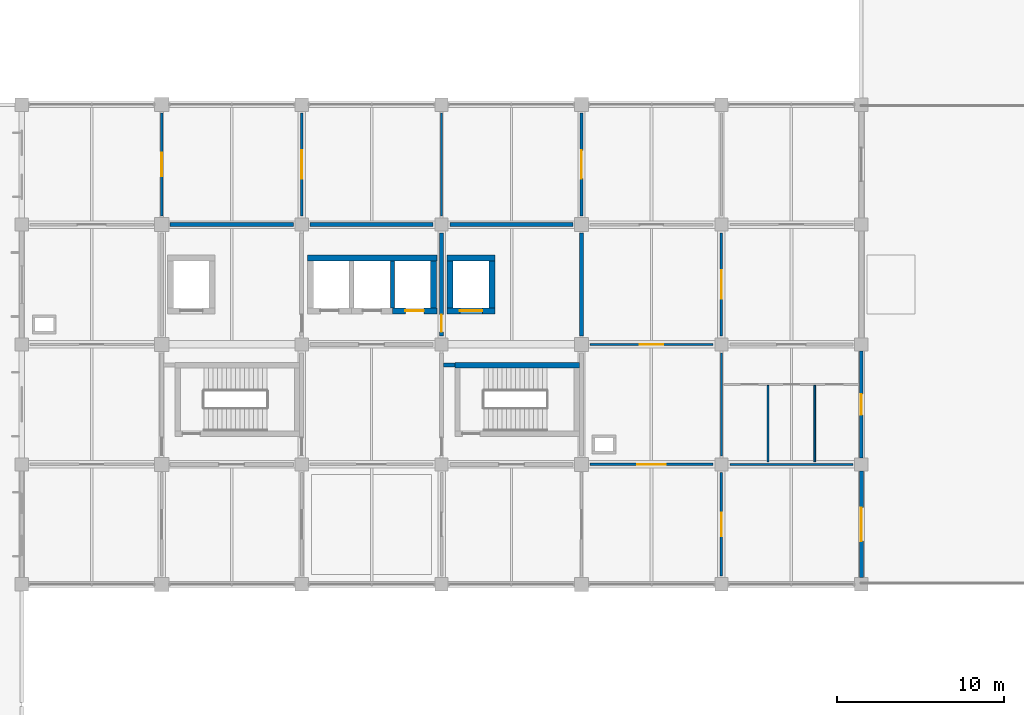
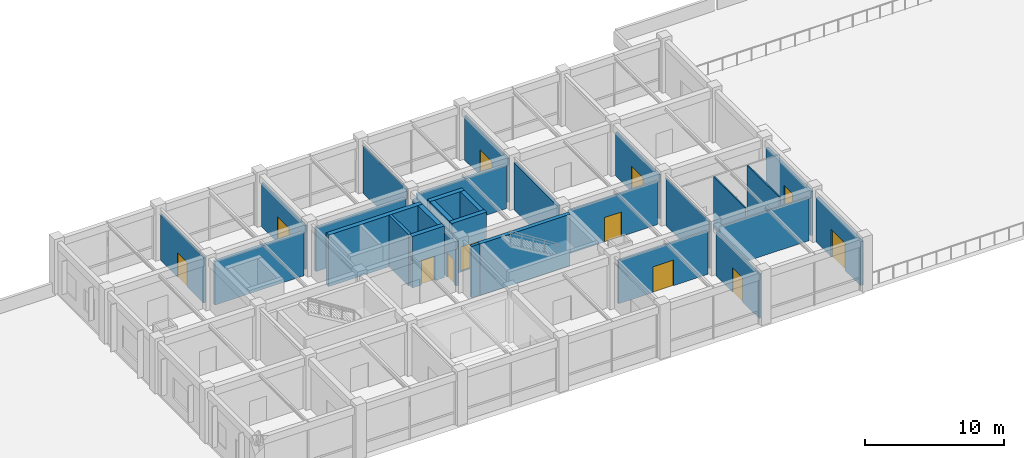
# One storey, part 40 of 45: 29 walls, 12 doors, 12 openings.
"""IFC4 building model written with IfcOpenShell, lengths in metres."""

from ifc_helpers import new_model, si_unit, derived_unit, direction, frame, frame_2d, origin, place, context, subcontext, project, spatial, rectangle, extrude, material, layer, layer_set, type_object, element, fill, save


model = new_model("IFC4")

# Units and contexts
model_context = context("Model", 3, precision=1e-05, world=origin(), true_north=direction((0.0, 1.0)))
body_context = subcontext(model_context, "Body", "Model", "MODEL_VIEW")
ifc_project = project(units=[si_unit("LENGTHUNIT", "METRE"), si_unit("AREAUNIT", "SQUARE_METRE"), si_unit("VOLUMEUNIT", "CUBIC_METRE"), si_unit("PLANEANGLEUNIT", "RADIAN"), si_unit("MASSUNIT", "GRAM", prefix="KILO"), derived_unit("THERMALTRANSMITTANCEUNIT", [(si_unit("MASSUNIT", "GRAM", prefix="KILO"), 1), (si_unit("TIMEUNIT", "SECOND"), -3), (si_unit("THERMODYNAMICTEMPERATUREUNIT", "KELVIN"), -1)])], contexts=[model_context])

# Site, building, storey
site_placement = place(None, origin())
site = spatial("IfcSite", under=ifc_project, at=site_placement, CompositionType="ELEMENT")
building_placement = place(site_placement, origin())
building = spatial("IfcBuilding", under=site, at=building_placement, Name="Veldstrom Oceanarium and Marine Research Institute", CompositionType="ELEMENT")
storey_placement = place(building_placement, frame((0.0, 0.0, 22.199951171875)))
storey = spatial("IfcBuildingStorey", under=building, at=storey_placement, Name="L04", CompositionType="ELEMENT", Elevation=22.199951171875)

# Wall, opening, door
ifc_material_1 = material(Name="Masonry Cavity Wall", Category="masonry")
ifc_layer_1 = layer(ifc_material_1, 0.25)
ifc_layer_set_1 = layer_set([ifc_layer_1], Name="ARC-WAL-EW5")
wall_type_1 = type_object("IfcWallType", Name="ARC-WAL-EW5", PredefinedType="SOLIDWALL", material=ifc_layer_set_1)
wall_1_placement = place(storey_placement, frame((117.60009765625, 43.60009765625, 0.0), z_axis=(0.0, 0.0, 1.0), x_axis=(0.0, 1.0, 0.0)))
wall_1 = element("IfcWall", 1, at=wall_1_placement, inside=storey, type_object=wall_type_1, Name="Exterior Facade Wall EW5 L04-172", PredefinedType="SOLIDWALL", context=body_context, shape_type="SweptSolid", body=[
    extrude(rectangle(XDim=6.39990234375, YDim=0.25, at=frame_2d((3.199951171875, 0.0))), origin(), (0.0, 0.0, 1.0), 3.864990234375),
])
opening_1_placement = place(wall_1_placement, frame((2.199951171875, 0.0, 0.0)))
opening_1 = element("IfcOpeningElement", 2, at=opening_1_placement, cuts=wall_1, Name="Opening D-L04-016", PredefinedType="OPENING", context=body_context, shape_type="SweptSolid", body=[
    extrude(rectangle(XDim=2.0, YDim=2.39990234375, at=frame_2d((1.0, 1.199951171875))), frame((0.0, 0.135009765625, 0.0), z_axis=(0.0, -1.0, 0.0), x_axis=(1.0, 0.0, 0.0)), (0.0, 0.0, 1.0), 0.27001953125),
])
ifc_material_2 = material(Name="Anodised Aluminium Glazed Door", Category="aluminium")
door_type_1 = type_object("IfcDoorType", Name="ARC-DOR-ED1", OperationType="DOUBLE_DOOR_SINGLE_SWING", PredefinedType="DOOR", material=ifc_material_2)
door_1_placement = place(opening_1_placement, frame((2.0, 0.0, 0.0), z_axis=(0.0, 0.0, 1.0), x_axis=(-1.0, 0.0, 0.0)))
door_1 = element("IfcDoor", 3, at=door_1_placement, inside=storey, type_object=door_type_1, Name="Terrace Access Door D-L04-016", OperationType="DOUBLE_DOOR_SINGLE_SWING", OverallHeight=2.39990234375, OverallWidth=2.0, PredefinedType="DOOR", context=body_context, shape_type="SweptSolid", body=[
    extrude(rectangle(XDim=2.0, YDim=2.39990234375, at=frame_2d((1.0, 1.199951171875))), frame((0.0, 0.02490234375, 0.0), z_axis=(0.0, -1.0, 0.0), x_axis=(1.0, 0.0, 0.0)), (0.0, 0.0, 1.0), 0.050048828125),
])
fill(opening_1, door_1)

ifc_material_3 = material(Name="Masonry Cavity Wall", Category="masonry")
ifc_layer_2 = layer(ifc_material_3, 0.215087890625)
ifc_layer_set_2 = layer_set([ifc_layer_2], Name="ARC-WAL-EW6")
wall_type_2 = type_object("IfcWallType", Name="ARC-WAL-EW6", PredefinedType="SOLIDWALL", material=ifc_layer_set_2)
wall_2_placement = place(storey_placement, frame((117.60009765625, 50.800048828125, 0.0), z_axis=(0.0, 0.0, 1.0), x_axis=(0.0, 1.0, 0.0)))
wall_2 = element("IfcWall", 4, at=wall_2_placement, inside=storey, type_object=wall_type_2, Name="Exterior Facade Wall EW6 L04-173", PredefinedType="SOLIDWALL", context=body_context, shape_type="SweptSolid", body=[
    extrude(rectangle(XDim=6.39990234375, YDim=0.215087890625, at=frame_2d((3.199951171875, 0.0))), origin(), (0.0, 0.0, 1.0), 3.864990234375),
])
opening_2_placement = place(wall_2_placement, frame((2.574951171875, 0.0, 0.0)))
opening_2 = element("IfcOpeningElement", 5, at=opening_2_placement, cuts=wall_2, Name="Opening D-L04-017", PredefinedType="OPENING", context=body_context, shape_type="SweptSolid", body=[
    extrude(rectangle(XDim=1.25, YDim=2.14990234375, at=frame_2d((0.625, 1.074951171875))), frame((0.0, 0.117431640625, 0.0), z_axis=(0.0, -1.0, 0.0), x_axis=(1.0, 0.0, 0.0)), (0.0, 0.0, 1.0), 0.235107421875),
])
ifc_material_4 = material(Name="Anodised Aluminium Terrace Door", Category="aluminium")
door_type_2 = type_object("IfcDoorType", Name="ARC-DOR-ED4", OperationType="SINGLE_SWING_LEFT", PredefinedType="DOOR", material=ifc_material_4)
door_2_placement = place(opening_2_placement, frame((1.25, 0.0, 0.0), z_axis=(0.0, 0.0, 1.0), x_axis=(-1.0, 0.0, 0.0)))
door_2 = element("IfcDoor", 6, at=door_2_placement, inside=storey, type_object=door_type_2, Name="Terrace Access Door D-L04-017", OperationType="SINGLE_SWING_RIGHT", OverallHeight=2.14990234375, OverallWidth=1.25, PredefinedType="DOOR", context=body_context, shape_type="SweptSolid", body=[
    extrude(rectangle(XDim=1.25, YDim=2.14990234375, at=frame_2d((0.625, 1.074951171875))), frame((0.0, 0.02490234375, 0.0), z_axis=(0.0, -1.0, 0.0), x_axis=(1.0, 0.0, 0.0)), (0.0, 0.0, 1.0), 0.050048828125),
])
fill(opening_2, door_2)

# Wall
ifc_material_5 = material(Name="Masonry Fire Compartment Wall", Category="masonry")
ifc_layer_3 = layer(ifc_material_5, 0.22998046875)
ifc_layer_set_3 = layer_set([ifc_layer_3], Name="ARC-WAL-PT1")
wall_type_3 = type_object("IfcWallType", Name="ARC-WAL-PT1", PredefinedType="PARTITIONING", material=ifc_layer_set_3)
wall_3_placement = place(storey_placement, frame((76.10009765625, 64.800048828125, 0.0), z_axis=(0.0, 0.0, 1.0), x_axis=(1.0, 0.0, 0.0)))
element("IfcWall", 7, at=wall_3_placement, inside=storey, type_object=wall_type_3, Name="Interior Partition PT1 L04-1412", PredefinedType="PARTITIONING", context=body_context, shape_type="SweptSolid", body=[
    extrude(rectangle(XDim=7.39990234375, YDim=0.22998046875, at=frame_2d((3.699951171875, 0.0))), origin(), (0.0, 0.0, 1.0), 3.81494140625),
])

# Wall, opening, door
wall_4_placement = place(storey_placement, frame((92.39990234375, 58.10009765625, 0.0), z_axis=(0.0, 0.0, 1.0), x_axis=(0.0, 1.0, 0.0)))
wall_4 = element("IfcWall", 8, at=wall_4_placement, inside=storey, type_object=wall_type_3, Name="Interior Partition PT1 L04-1418", PredefinedType="PARTITIONING", context=body_context, shape_type="SweptSolid", body=[
    extrude(rectangle(XDim=6.199951171875, YDim=0.22998046875, at=frame_2d((3.10009765625, 0.0))), origin(), (0.0, 0.0, 1.0), 3.864990234375),
])
opening_3_placement = place(wall_4_placement, frame((0.25, 0.0, 0.0)))
opening_3 = element("IfcOpeningElement", 9, at=opening_3_placement, cuts=wall_4, Name="Opening D-L04-841", PredefinedType="OPENING", context=body_context, shape_type="SweptSolid", body=[
    extrude(rectangle(XDim=1.050048828125, YDim=2.14990234375, at=frame_2d((0.52490234375, 1.074951171875))), frame((0.0, 0.125, 0.0), z_axis=(0.0, -1.0, 0.0), x_axis=(1.0, 0.0, 0.0)), (0.0, 0.0, 1.0), 0.25),
])
ifc_material_6 = material(Name="Painted Steel Fire Door", Category="steel")
door_type_3 = type_object("IfcDoorType", Name="ARC-DOR-SD1", OperationType="SINGLE_SWING_LEFT", PredefinedType="DOOR", material=ifc_material_6)
door_3_placement = place(opening_3_placement, frame((1.050048828125, 0.0, 0.0), z_axis=(0.0, 0.0, 1.0), x_axis=(-1.0, 0.0, 0.0)))
door_3 = element("IfcDoor", 10, at=door_3_placement, inside=storey, type_object=door_type_3, Name="Interior Door D-L04-841", OperationType="SINGLE_SWING_RIGHT", OverallHeight=2.14990234375, OverallWidth=1.050048828125, PredefinedType="DOOR", context=body_context, shape_type="SweptSolid", body=[
    extrude(rectangle(XDim=1.050048828125, YDim=2.14990234375, at=frame_2d((0.52490234375, 1.074951171875))), frame((0.0, 0.02490234375, 0.0), z_axis=(0.0, -1.0, 0.0), x_axis=(1.0, 0.0, 0.0)), (0.0, 0.0, 1.0), 0.050048828125),
])
fill(opening_3, door_3)

# Walls
wall_5_placement = place(storey_placement, frame((84.5, 64.800048828125, 0.0), z_axis=(0.0, 0.0, 1.0), x_axis=(1.0, 0.0, 0.0)))
element("IfcWall", 11, at=wall_5_placement, inside=storey, type_object=wall_type_3, Name="Interior Partition PT1 L04-1419", PredefinedType="PARTITIONING", context=body_context, shape_type="SweptSolid", body=[
    extrude(rectangle(XDim=7.39990234375, YDim=0.22998046875, at=frame_2d((3.699951171875, 0.0))), origin(), (0.0, 0.0, 1.0), 3.81494140625),
])
wall_6_placement = place(storey_placement, frame((92.52001953125, 56.360107421875, 0.0), z_axis=(0.0, 0.0, 1.0), x_axis=(1.0, 0.0, 0.0)))
element("IfcWall", 12, at=wall_6_placement, inside=storey, type_object=wall_type_3, Name="Interior Partition PT1 L04-1424", PredefinedType="PARTITIONING", context=body_context, shape_type="SweptSolid", body=[
    extrude(rectangle(XDim=0.679931640625, YDim=0.22998046875, at=frame_2d((0.33984375, 0.0))), origin(), (0.0, 0.0, 1.0), 4.52001953125),
])
wall_7_placement = place(storey_placement, frame((100.800048828125, 58.10009765625, 0.0), z_axis=(0.0, 0.0, 1.0), x_axis=(0.0, 1.0, 0.0)))
element("IfcWall", 13, at=wall_7_placement, inside=storey, type_object=wall_type_3, Name="Interior Partition PT1 L04-1425", PredefinedType="PARTITIONING", context=body_context, shape_type="SweptSolid", body=[
    extrude(rectangle(XDim=6.199951171875, YDim=0.22998046875, at=frame_2d((3.10009765625, 0.0))), origin(), (0.0, 0.0, 1.0), 4.114990234375),
])
wall_8_placement = place(storey_placement, frame((92.89990234375, 64.800048828125, 0.0), z_axis=(0.0, 0.0, 1.0), x_axis=(1.0, 0.0, 0.0)))
element("IfcWall", 14, at=wall_8_placement, inside=storey, type_object=wall_type_3, Name="Interior Partition PT1 L04-1426", PredefinedType="PARTITIONING", context=body_context, shape_type="SweptSolid", body=[
    extrude(rectangle(XDim=7.400146484375, YDim=0.22998046875, at=frame_2d((3.7001953125, 0.0))), origin(), (0.0, 0.0, 1.0), 3.81494140625),
])

# Wall, opening, door
ifc_material_7 = material(Name="Drywall Corridor Partition", Category="gypsum")
ifc_layer_4 = layer(ifc_material_7, 0.155029296875)
ifc_layer_set_4 = layer_set([ifc_layer_4], Name="ARC-WAL-PT4")
wall_type_4 = type_object("IfcWallType", Name="ARC-WAL-PT4", PredefinedType="PARTITIONING", material=ifc_layer_set_4)
wall_9_placement = place(storey_placement, frame((84.0, 65.300048828125, 0.0), z_axis=(0.0, 0.0, 1.0), x_axis=(0.0, 1.0, 0.0)))
wall_9 = element("IfcWall", 15, at=wall_9_placement, inside=storey, type_object=wall_type_4, Name="Interior Partition PT4 L04-1413", PredefinedType="PARTITIONING", context=body_context, shape_type="SweptSolid", body=[
    extrude(rectangle(XDim=6.199951171875, YDim=0.155029296875, at=frame_2d((3.10009765625, 0.0))), origin(), (0.0, 0.0, 1.0), 3.864990234375),
])
opening_4_placement = place(wall_9_placement, frame((2.25, 0.0, 0.0)))
opening_4 = element("IfcOpeningElement", 16, at=opening_4_placement, cuts=wall_9, Name="Opening D-L04-836", PredefinedType="OPENING", context=body_context, shape_type="SweptSolid", body=[
    extrude(rectangle(XDim=1.699951171875, YDim=2.25, at=frame_2d((0.85009765625, 1.125))), frame((0.0, 0.08740234375, 0.0), z_axis=(0.0, -1.0, 0.0), x_axis=(1.0, 0.0, 0.0)), (0.0, 0.0, 1.0), 0.175048828125),
])
ifc_material_8 = material(Name="Symposium Auditorium Door", Category="timber")
door_type_4 = type_object("IfcDoorType", Name="ARC-DOR-ID13", OperationType="DOUBLE_DOOR_SINGLE_SWING", PredefinedType="DOOR", material=ifc_material_8)
door_4_placement = place(opening_4_placement, frame((1.699951171875, 0.0, 0.0), z_axis=(0.0, 0.0, 1.0), x_axis=(-1.0, 0.0, 0.0)))
door_4 = element("IfcDoor", 17, at=door_4_placement, inside=storey, type_object=door_type_4, Name="Interior Door D-L04-836", OperationType="DOUBLE_DOOR_SINGLE_SWING", OverallHeight=2.25, OverallWidth=1.699951171875, PredefinedType="DOOR", context=body_context, shape_type="SweptSolid", body=[
    extrude(rectangle(XDim=1.699951171875, YDim=2.25, at=frame_2d((0.85009765625, 1.125))), frame((0.0, 0.02490234375, 0.0), z_axis=(0.0, -1.0, 0.0), x_axis=(1.0, 0.0, 0.0)), (0.0, 0.0, 1.0), 0.050048828125),
])
fill(opening_4, door_4)

wall_10_placement = place(storey_placement, frame((100.800048828125, 65.300048828125, 0.0), z_axis=(0.0, 0.0, 1.0), x_axis=(0.0, 1.0, 0.0)))
wall_10 = element("IfcWall", 18, at=wall_10_placement, inside=storey, type_object=wall_type_4, Name="Interior Partition PT4 L04-1427", PredefinedType="PARTITIONING", context=body_context, shape_type="SweptSolid", body=[
    extrude(rectangle(XDim=6.199951171875, YDim=0.155029296875, at=frame_2d((3.10009765625, 0.0))), origin(), (0.0, 0.0, 1.0), 3.864990234375),
])
opening_5_placement = place(wall_10_placement, frame((2.25, 0.0, 0.0)))
opening_5 = element("IfcOpeningElement", 19, at=opening_5_placement, cuts=wall_10, Name="Opening D-L04-844", PredefinedType="OPENING", context=body_context, shape_type="SweptSolid", body=[
    extrude(rectangle(XDim=1.699951171875, YDim=2.25, at=frame_2d((0.85009765625, 1.125))), frame((0.0, 0.08740234375, 0.0), z_axis=(0.0, -1.0, 0.0), x_axis=(1.0, 0.0, 0.0)), (0.0, 0.0, 1.0), 0.175048828125),
])
door_5_placement = place(opening_5_placement, frame((1.699951171875, 0.0, 0.0), z_axis=(0.0, 0.0, 1.0), x_axis=(-1.0, 0.0, 0.0)))
door_5 = element("IfcDoor", 20, at=door_5_placement, inside=storey, type_object=door_type_4, Name="Interior Door D-L04-844", OperationType="DOUBLE_DOOR_SINGLE_SWING", OverallHeight=2.25, OverallWidth=1.699951171875, PredefinedType="DOOR", context=body_context, shape_type="SweptSolid", body=[
    extrude(rectangle(XDim=1.699951171875, YDim=2.25, at=frame_2d((0.85009765625, 1.125))), frame((0.0, 0.02490234375, 0.0), z_axis=(0.0, -1.0, 0.0), x_axis=(1.0, 0.0, 0.0)), (0.0, 0.0, 1.0), 0.050048828125),
])
fill(opening_5, door_5)

wall_11_placement = place(storey_placement, frame((109.199951171875, 43.699951171875, 0.0), z_axis=(0.0, 0.0, 1.0), x_axis=(0.0, 1.0, 0.0)))
wall_11 = element("IfcWall", 21, at=wall_11_placement, inside=storey, type_object=wall_type_4, Name="Interior Partition PT4 L04-1428", PredefinedType="PARTITIONING", context=body_context, shape_type="SweptSolid", body=[
    extrude(rectangle(XDim=6.199951171875, YDim=0.155029296875, at=frame_2d((3.10009765625, 0.0))), origin(), (0.0, 0.0, 1.0), 3.864990234375),
])
opening_6_placement = place(wall_11_placement, frame((2.39990234375, 0.0, 0.0)))
opening_6 = element("IfcOpeningElement", 22, at=opening_6_placement, cuts=wall_11, Name="Opening D-L04-845", PredefinedType="OPENING", context=body_context, shape_type="SweptSolid", body=[
    extrude(rectangle(XDim=1.39990234375, YDim=2.14990234375, at=frame_2d((0.699951171875, 1.074951171875))), frame((0.0, 0.08740234375, 0.0), z_axis=(0.0, -1.0, 0.0), x_axis=(1.0, 0.0, 0.0)), (0.0, 0.0, 1.0), 0.175048828125),
])
ifc_material_9 = material(Name="Education Classroom Door", Category="timber")
door_type_5 = type_object("IfcDoorType", Name="ARC-DOR-ID04", OperationType="DOUBLE_DOOR_SINGLE_SWING", PredefinedType="DOOR", material=ifc_material_9)
door_6_placement = place(opening_6_placement, frame((1.39990234375, 0.0, 0.0), z_axis=(0.0, 0.0, 1.0), x_axis=(-1.0, 0.0, 0.0)))
door_6 = element("IfcDoor", 23, at=door_6_placement, inside=storey, type_object=door_type_5, Name="Interior Door D-L04-845", OperationType="DOUBLE_DOOR_SINGLE_SWING", OverallHeight=2.14990234375, OverallWidth=1.39990234375, PredefinedType="DOOR", context=body_context, shape_type="SweptSolid", body=[
    extrude(rectangle(XDim=1.39990234375, YDim=2.14990234375, at=frame_2d((0.699951171875, 1.074951171875))), frame((0.0, 0.02490234375, 0.0), z_axis=(0.0, -1.0, 0.0), x_axis=(1.0, 0.0, 0.0)), (0.0, 0.0, 1.0), 0.050048828125),
])
fill(opening_6, door_6)

wall_12_placement = place(storey_placement, frame((101.300048828125, 50.39990234375, 0.0), z_axis=(0.0, 0.0, 1.0), x_axis=(1.0, 0.0, 0.0)))
wall_12 = element("IfcWall", 24, at=wall_12_placement, inside=storey, type_object=wall_type_4, Name="Interior Partition PT4 L04-1429", PredefinedType="PARTITIONING", context=body_context, shape_type="SweptSolid", body=[
    extrude(rectangle(XDim=7.39990234375, YDim=0.155029296875, at=frame_2d((3.699951171875, 0.0))), origin(), (0.0, 0.0, 1.0), 3.81494140625),
])
opening_7_placement = place(wall_12_placement, frame((2.85009765625, 0.0, 0.0)))
opening_7 = element("IfcOpeningElement", 25, at=opening_7_placement, cuts=wall_12, Name="Opening D-L04-846", PredefinedType="OPENING", context=body_context, shape_type="SweptSolid", body=[
    extrude(rectangle(XDim=1.699951171875, YDim=2.25, at=frame_2d((0.85009765625, 1.125))), frame((0.0, 0.08740234375, 0.0), z_axis=(0.0, -1.0, 0.0), x_axis=(1.0, 0.0, 0.0)), (0.0, 0.0, 1.0), 0.175048828125),
])
door_7_placement = place(opening_7_placement, origin())
door_7 = element("IfcDoor", 26, at=door_7_placement, inside=storey, type_object=door_type_4, Name="Interior Door D-L04-846", OperationType="DOUBLE_DOOR_SINGLE_SWING", OverallHeight=2.25, OverallWidth=1.699951171875, PredefinedType="DOOR", context=body_context, shape_type="SweptSolid", body=[
    extrude(rectangle(XDim=1.699951171875, YDim=2.25, at=frame_2d((0.85009765625, 1.125))), frame((0.0, 0.02490234375, 0.0), z_axis=(0.0, -1.0, 0.0), x_axis=(1.0, 0.0, 0.0)), (0.0, 0.0, 1.0), 0.050048828125),
])
fill(opening_7, door_7)

wall_13_placement = place(storey_placement, frame((109.199951171875, 58.10009765625, 0.0), z_axis=(0.0, 0.0, 1.0), x_axis=(0.0, 1.0, 0.0)))
wall_13 = element("IfcWall", 27, at=wall_13_placement, inside=storey, type_object=wall_type_4, Name="Interior Partition PT4 L04-1432", PredefinedType="PARTITIONING", context=body_context, shape_type="SweptSolid", body=[
    extrude(rectangle(XDim=6.199951171875, YDim=0.155029296875, at=frame_2d((3.10009765625, 0.0))), origin(), (0.0, 0.0, 1.0), 3.864990234375),
])
opening_8_placement = place(wall_13_placement, frame((2.25, 0.0, 0.0)))
opening_8 = element("IfcOpeningElement", 28, at=opening_8_placement, cuts=wall_13, Name="Opening D-L04-848", PredefinedType="OPENING", context=body_context, shape_type="SweptSolid", body=[
    extrude(rectangle(XDim=1.699951171875, YDim=2.25, at=frame_2d((0.85009765625, 1.125))), frame((0.0, 0.08740234375, 0.0), z_axis=(0.0, -1.0, 0.0), x_axis=(1.0, 0.0, 0.0)), (0.0, 0.0, 1.0), 0.175048828125),
])
door_8_placement = place(opening_8_placement, frame((1.699951171875, 0.0, 0.0), z_axis=(0.0, 0.0, 1.0), x_axis=(-1.0, 0.0, 0.0)))
door_8 = element("IfcDoor", 29, at=door_8_placement, inside=storey, type_object=door_type_4, Name="Interior Door D-L04-848", OperationType="DOUBLE_DOOR_SINGLE_SWING", OverallHeight=2.25, OverallWidth=1.699951171875, PredefinedType="DOOR", context=body_context, shape_type="SweptSolid", body=[
    extrude(rectangle(XDim=1.699951171875, YDim=2.25, at=frame_2d((0.85009765625, 1.125))), frame((0.0, 0.02490234375, 0.0), z_axis=(0.0, -1.0, 0.0), x_axis=(1.0, 0.0, 0.0)), (0.0, 0.0, 1.0), 0.050048828125),
])
fill(opening_8, door_8)

ifc_material_10 = material(Name="Moisture-Resistant Wet-Area Partition", Category="masonry")
ifc_layer_5 = layer(ifc_material_10, 0.139892578125)
ifc_layer_set_5 = layer_set([ifc_layer_5], Name="ARC-WAL-PT5")
wall_type_5 = type_object("IfcWallType", Name="ARC-WAL-PT5", PredefinedType="PARTITIONING", material=ifc_layer_set_5)
wall_14_placement = place(storey_placement, frame((75.60009765625, 65.300048828125, 0.0), z_axis=(0.0, 0.0, 1.0), x_axis=(0.0, 1.0, 0.0)))
wall_14 = element("IfcWall", 30, at=wall_14_placement, inside=storey, type_object=wall_type_5, Name="Interior Partition PT5 L04-1406", PredefinedType="PARTITIONING", context=body_context, shape_type="SweptSolid", body=[
    extrude(rectangle(XDim=6.199951171875, YDim=0.139892578125, at=frame_2d((3.10009765625, 0.0))), origin(), (0.0, 0.0, 1.0), 4.01513671875),
])
opening_9_placement = place(wall_14_placement, frame((2.39990234375, 0.0, 0.0)))
opening_9 = element("IfcOpeningElement", 31, at=opening_9_placement, cuts=wall_14, Name="Opening D-L04-831", PredefinedType="OPENING", context=body_context, shape_type="SweptSolid", body=[
    extrude(rectangle(XDim=1.39990234375, YDim=2.14990234375, at=frame_2d((0.699951171875, 1.074951171875))), frame((0.0, 0.079833984375, 0.0), z_axis=(0.0, -1.0, 0.0), x_axis=(1.0, 0.0, 0.0)), (0.0, 0.0, 1.0), 0.159912109375),
])
door_9_placement = place(opening_9_placement, origin())
door_9 = element("IfcDoor", 32, at=door_9_placement, inside=storey, type_object=door_type_5, Name="Interior Door D-L04-831", OperationType="DOUBLE_DOOR_SINGLE_SWING", OverallHeight=2.14990234375, OverallWidth=1.39990234375, PredefinedType="DOOR", context=body_context, shape_type="SweptSolid", body=[
    extrude(rectangle(XDim=1.39990234375, YDim=2.14990234375, at=frame_2d((0.699951171875, 1.074951171875))), frame((0.0, 0.02490234375, 0.0), z_axis=(0.0, -1.0, 0.0), x_axis=(1.0, 0.0, 0.0)), (0.0, 0.0, 1.0), 0.050048828125),
])
fill(opening_9, door_9)

wall_15_placement = place(storey_placement, frame((101.300048828125, 57.60009765625, 0.0), z_axis=(0.0, 0.0, 1.0), x_axis=(1.0, 0.0, 0.0)))
wall_15 = element("IfcWall", 33, at=wall_15_placement, inside=storey, type_object=wall_type_5, Name="Interior Partition PT5 L04-1431", PredefinedType="PARTITIONING", context=body_context, shape_type="SweptSolid", body=[
    extrude(rectangle(XDim=7.39990234375, YDim=0.139892578125, at=frame_2d((3.699951171875, 0.0))), origin(), (0.0, 0.0, 1.0), 3.81494140625),
])
opening_10_placement = place(wall_15_placement, frame((3.0, 0.0, 0.0)))
opening_10 = element("IfcOpeningElement", 34, at=opening_10_placement, cuts=wall_15, Name="Opening D-L04-847", PredefinedType="OPENING", context=body_context, shape_type="SweptSolid", body=[
    extrude(rectangle(XDim=1.39990234375, YDim=2.14990234375, at=frame_2d((0.699951171875, 1.074951171875))), frame((0.0, 0.079833984375, 0.0), z_axis=(0.0, -1.0, 0.0), x_axis=(1.0, 0.0, 0.0)), (0.0, 0.0, 1.0), 0.159912109375),
])
door_10_placement = place(opening_10_placement, frame((1.39990234375, 0.0, 0.0), z_axis=(0.0, 0.0, 1.0), x_axis=(-1.0, 0.0, 0.0)))
door_10 = element("IfcDoor", 35, at=door_10_placement, inside=storey, type_object=door_type_5, Name="Interior Door D-L04-847", OperationType="DOUBLE_DOOR_SINGLE_SWING", OverallHeight=2.14990234375, OverallWidth=1.39990234375, PredefinedType="DOOR", context=body_context, shape_type="SweptSolid", body=[
    extrude(rectangle(XDim=1.39990234375, YDim=2.14990234375, at=frame_2d((0.699951171875, 1.074951171875))), frame((0.0, 0.02490234375, 0.0), z_axis=(0.0, -1.0, 0.0), x_axis=(1.0, 0.0, 0.0)), (0.0, 0.0, 1.0), 0.050048828125),
])
fill(opening_10, door_10)

# Walls
ifc_material_11 = material(Name="Lightweight Studio Partition", Category="gypsum")
ifc_layer_6 = layer(ifc_material_11, 0.1201171875)
ifc_layer_set_6 = layer_set([ifc_layer_6], Name="ARC-WAL-PT6")
wall_type_6 = type_object("IfcWallType", Name="ARC-WAL-PT6", PredefinedType="PARTITIONING", material=ifc_layer_set_6)
wall_16_placement = place(storey_placement, frame((92.39990234375, 65.300048828125, 0.0), z_axis=(0.0, 0.0, 1.0), x_axis=(0.0, 1.0, 0.0)))
element("IfcWall", 36, at=wall_16_placement, inside=storey, type_object=wall_type_6, Name="Interior Partition PT6 L04-1420", PredefinedType="PARTITIONING", context=body_context, shape_type="SweptSolid", body=[
    extrude(rectangle(XDim=6.199951171875, YDim=0.1201171875, at=frame_2d((3.10009765625, 0.0))), origin(), (0.0, 0.0, 1.0), 4.114990234375),
])
wall_17_placement = place(storey_placement, frame((109.199951171875, 50.89990234375, 0.0), z_axis=(0.0, 0.0, 1.0), x_axis=(0.0, 1.0, 0.0)))
element("IfcWall", 37, at=wall_17_placement, inside=storey, type_object=wall_type_6, Name="Interior Partition PT6 L04-1430", PredefinedType="PARTITIONING", context=body_context, shape_type="SweptSolid", body=[
    extrude(rectangle(XDim=6.2001953125, YDim=0.1201171875, at=frame_2d((3.10009765625, 0.0))), origin(), (0.0, 0.0, 1.0), 4.114990234375),
])
wall_18_placement = place(storey_placement, frame((109.699951171875, 50.39990234375, 0.0), z_axis=(0.0, 0.0, 1.0), x_axis=(1.0, 0.0, 0.0)))
element("IfcWall", 38, at=wall_18_placement, inside=storey, type_object=wall_type_6, Name="Interior Partition PT6 L04-1435", PredefinedType="PARTITIONING", context=body_context, shape_type="SweptSolid", body=[
    extrude(rectangle(XDim=7.400146484375, YDim=0.1201171875, at=frame_2d((3.7001953125, 0.0))), origin(), (0.0, 0.0, 1.0), 3.81494140625),
])
ifc_material_12 = material(Name="Sanitary Cubicle Partition", Category="gypsum")
ifc_layer_7 = layer(ifc_material_12, 0.10009765625)
ifc_layer_set_7 = layer_set([ifc_layer_7], Name="ARC-WAL-PT7")
wall_type_7 = type_object("IfcWallType", Name="ARC-WAL-PT7", PredefinedType="PARTITIONING", material=ifc_layer_set_7)
for number, where, z_axis, x_axis, name in (
    (39, (112.0, 50.550048828125, 0.0), (0.0, 0.0, 1.0), (0.0, 1.0, 0.0), "Sanitary Stall Divider Wall L04-1398"),
    (40, (114.800048828125, 50.550048828125, 0.0), (0.0, 0.0, 1.0), (0.0, 1.0, 0.0), "Sanitary Stall Divider Wall L04-1399"),
):
    element("IfcWall", number, at=place(storey_placement, frame(where, z_axis=z_axis, x_axis=x_axis)), inside=storey, type_object=wall_type_7, Name=name, PredefinedType="PARTITIONING", context=body_context, shape_type="SweptSolid", body=[
        extrude(rectangle(XDim=4.58984375, YDim=0.10009765625, at=frame_2d((2.294921875, 0.0))), origin(), (0.0, 0.0, 1.0), 4.52001953125),
    ])
ifc_material_13 = material(Name="Concrete C40/50", Category="concrete")
ifc_layer_8 = layer(ifc_material_13, 0.360107421875)
ifc_layer_set_8 = layer_set([ifc_layer_8], Name="STR-WAL-WC2")
wall_type_8 = type_object("IfcWallType", Name="STR-WAL-WC2", PredefinedType="SHEAR", material=ifc_layer_set_8)
wall_19_placement = place(storey_placement, frame((84.340087890625, 62.780029296875, 0.0), z_axis=(0.0, 0.0, 1.0), x_axis=(1.0, 0.0, 0.0)))
element("IfcWall", 41, at=wall_19_placement, inside=storey, type_object=wall_type_8, Name="Lift Shaft Shear Wall N L04 10/8", PredefinedType="SHEAR", context=body_context, shape_type="SweptSolid", body=[
    extrude(rectangle(XDim=7.77001953125, YDim=0.360107421875, at=frame_2d((3.885009765625, 0.0))), origin(), (0.0, 0.0, 1.0), 4.52001953125),
])

# Wall, opening, door
wall_20_placement = place(storey_placement, frame((89.449951171875, 59.6201171875, 0.0), z_axis=(0.0, 0.0, 1.0), x_axis=(1.0, 0.0, 0.0)))
wall_20 = element("IfcWall", 42, at=wall_20_placement, inside=storey, type_object=wall_type_8, Name="Lift Shaft Front Shear Wall LP3 L04", PredefinedType="SHEAR", context=body_context, shape_type="SweptSolid", body=[
    extrude(rectangle(XDim=2.66015625, YDim=0.360107421875, at=frame_2d((1.330078125, 0.0))), origin(), (0.0, 0.0, 1.0), 4.52001953125),
])
opening_11_placement = place(wall_20_placement, frame((0.780029296875, 0.0, 0.0)))
opening_11 = element("IfcOpeningElement", 43, at=opening_11_placement, cuts=wall_20, Name="Opening LD-LP3-L04", PredefinedType="OPENING", context=body_context, shape_type="SweptSolid", body=[
    extrude(rectangle(XDim=1.10009765625, YDim=2.14990234375, at=frame_2d((0.550048828125, 1.074951171875))), frame((0.0, 0.18994140625, 0.0), z_axis=(0.0, -1.0, 0.0), x_axis=(1.0, 0.0, 0.0)), (0.0, 0.0, 1.0), 0.380126953125),
])
ifc_material_14 = material(Name="Stainless Steel Lift Landing Door", Category="steel")
door_type_6 = type_object("IfcDoorType", Name="ARC-DOR-LD1", OperationType="DOUBLE_DOOR_SLIDING", PredefinedType="DOOR", material=ifc_material_14)
door_11_placement = place(opening_11_placement, origin())
door_11 = element("IfcDoor", 44, at=door_11_placement, inside=storey, type_object=door_type_6, Name="Lift Landing Door LD-LP3-L04", OperationType="DOUBLE_DOOR_SLIDING", OverallHeight=2.14990234375, OverallWidth=1.10009765625, PredefinedType="DOOR", context=body_context, shape_type="SweptSolid", body=[
    extrude(rectangle(XDim=1.10009765625, YDim=2.14990234375, at=frame_2d((0.550048828125, 1.074951171875))), frame((0.0, 0.02490234375, 0.0), z_axis=(0.0, -1.0, 0.0), x_axis=(1.0, 0.0, 0.0)), (0.0, 0.0, 1.0), 0.050048828125),
])
fill(opening_11, door_11)

# Walls
wall_21_placement = place(storey_placement, frame((91.929931640625, 59.800048828125, 0.0), z_axis=(0.0, 0.0, 1.0), x_axis=(0.0, 1.0, 0.0)))
element("IfcWall", 45, at=wall_21_placement, inside=storey, type_object=wall_type_8, Name="Lift Shaft Shear Wall E L04 10/8", PredefinedType="SHEAR", context=body_context, shape_type="SweptSolid", body=[
    extrude(rectangle(XDim=2.800048828125, YDim=0.360107421875, at=frame_2d((1.39990234375, 0.0))), origin(), (0.0, 0.0, 1.0), 4.52001953125),
])
wall_22_placement = place(storey_placement, frame((92.739990234375, 62.780029296875, 0.0), z_axis=(0.0, 0.0, 1.0), x_axis=(1.0, 0.0, 0.0)))
element("IfcWall", 46, at=wall_22_placement, inside=storey, type_object=wall_type_8, Name="Lift Shaft Shear Wall N L04 11/8", PredefinedType="SHEAR", context=body_context, shape_type="SweptSolid", body=[
    extrude(rectangle(XDim=2.8701171875, YDim=0.360107421875, at=frame_2d((1.43505859375, 0.0))), origin(), (0.0, 0.0, 1.0), 4.52001953125),
])

# Wall, opening, door
wall_23_placement = place(storey_placement, frame((92.739990234375, 59.6201171875, 0.0), z_axis=(0.0, 0.0, 1.0), x_axis=(1.0, 0.0, 0.0)))
wall_23 = element("IfcWall", 47, at=wall_23_placement, inside=storey, type_object=wall_type_8, Name="Lift Shaft Front Shear Wall LF2 L04", PredefinedType="SHEAR", context=body_context, shape_type="SweptSolid", body=[
    extrude(rectangle(XDim=2.8701171875, YDim=0.360107421875, at=frame_2d((1.43505859375, 0.0))), origin(), (0.0, 0.0, 1.0), 4.52001953125),
])
opening_12_placement = place(wall_23_placement, frame((0.760009765625, 0.0, 0.0)))
opening_12 = element("IfcOpeningElement", 48, at=opening_12_placement, cuts=wall_23, Name="Opening LD-LF2-L04", PredefinedType="OPENING", context=body_context, shape_type="SweptSolid", body=[
    extrude(rectangle(XDim=1.35009765625, YDim=2.199951171875, at=frame_2d((0.675048828125, 1.10009765625))), frame((0.0, 0.18994140625, 0.0), z_axis=(0.0, -1.0, 0.0), x_axis=(1.0, 0.0, 0.0)), (0.0, 0.0, 1.0), 0.380126953125),
])
ifc_material_15 = material(Name="Stainless Steel Lift Landing Door", Category="steel")
door_type_7 = type_object("IfcDoorType", Name="ARC-DOR-LD3", OperationType="DOUBLE_DOOR_SLIDING", PredefinedType="DOOR", material=ifc_material_15)
door_12_placement = place(opening_12_placement, origin())
door_12 = element("IfcDoor", 49, at=door_12_placement, inside=storey, type_object=door_type_7, Name="Lift Landing Door LD-LF2-L04", OperationType="DOUBLE_DOOR_SLIDING", OverallHeight=2.199951171875, OverallWidth=1.35009765625, PredefinedType="DOOR", context=body_context, shape_type="SweptSolid", body=[
    extrude(rectangle(XDim=1.35009765625, YDim=2.199951171875, at=frame_2d((0.675048828125, 1.10009765625))), frame((0.0, 0.02490234375, 0.0), z_axis=(0.0, -1.0, 0.0), x_axis=(1.0, 0.0, 0.0)), (0.0, 0.0, 1.0), 0.050048828125),
])
fill(opening_12, door_12)

# Walls
for number, where, z_axis, x_axis, name in (
    (50, (92.919921875, 59.800048828125, 0.0), (0.0, 0.0, 1.0), (0.0, 1.0, 0.0), "Lift Shaft Shear Wall W L04 11/8"),
    (51, (95.429931640625, 59.800048828125, 0.0), (0.0, 0.0, 1.0), (0.0, 1.0, 0.0), "Lift Shaft Shear Wall E L04 11/8"),
):
    element("IfcWall", number, at=place(storey_placement, frame(where, z_axis=z_axis, x_axis=x_axis)), inside=storey, type_object=wall_type_8, Name=name, PredefinedType="SHEAR", context=body_context, shape_type="SweptSolid", body=[
        extrude(rectangle(XDim=2.800048828125, YDim=0.360107421875, at=frame_2d((1.39990234375, 0.0))), origin(), (0.0, 0.0, 1.0), 4.52001953125),
    ])
ifc_material_16 = material(Name="Concrete C40/50", Category="concrete")
ifc_layer_9 = layer(ifc_material_16, 0.320068359375)
ifc_layer_set_9 = layer_set([ifc_layer_9], Name="STR-WAL-WC3")
wall_type_9 = type_object("IfcWallType", Name="STR-WAL-WC3", PredefinedType="SHEAR", material=ifc_layer_set_9)
wall_24_placement = place(storey_placement, frame((93.199951171875, 56.360107421875, 0.0), z_axis=(0.0, 0.0, 1.0), x_axis=(1.0, 0.0, 0.0)))
element("IfcWall", 52, at=wall_24_placement, inside=storey, type_object=wall_type_9, Name="Stair Core Shear Wall SC2-L04-N", PredefinedType="SHEAR", context=body_context, shape_type="SweptSolid", body=[
    extrude(rectangle(XDim=7.47998046875, YDim=0.320068359375, at=frame_2d((3.739990234375, 0.0))), origin(), (0.0, 0.0, 1.0), 4.52001953125),
])
ifc_material_17 = material(Name="Concrete C40/50", Category="concrete")
ifc_layer_10 = layer(ifc_material_17, 0.239990234375)
ifc_layer_set_10 = layer_set([ifc_layer_10], Name="STR-WAL-WC4")
wall_type_10 = type_object("IfcWallType", Name="STR-WAL-WC4", PredefinedType="SHEAR", material=ifc_layer_set_10)
wall_25_placement = place(storey_placement, frame((89.449951171875, 59.800048828125, 0.0), z_axis=(0.0, 0.0, 1.0), x_axis=(0.0, 1.0, 0.0)))
element("IfcWall", 53, at=wall_25_placement, inside=storey, type_object=wall_type_10, Name="Lift Shaft Divider Wall L04 10/8-2", PredefinedType="SHEAR", context=body_context, shape_type="SweptSolid", body=[
    extrude(rectangle(XDim=2.800048828125, YDim=0.239990234375, at=frame_2d((1.39990234375, 0.0))), origin(), (0.0, 0.0, 1.0), 4.52001953125),
])

save(model, "model.ifc")
